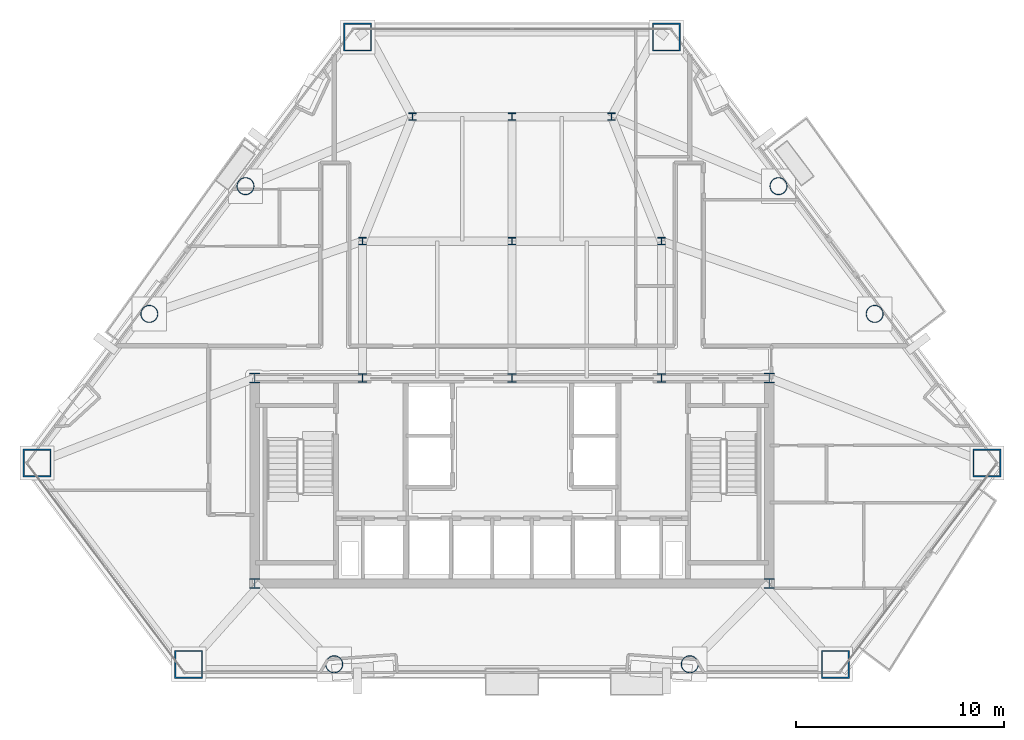
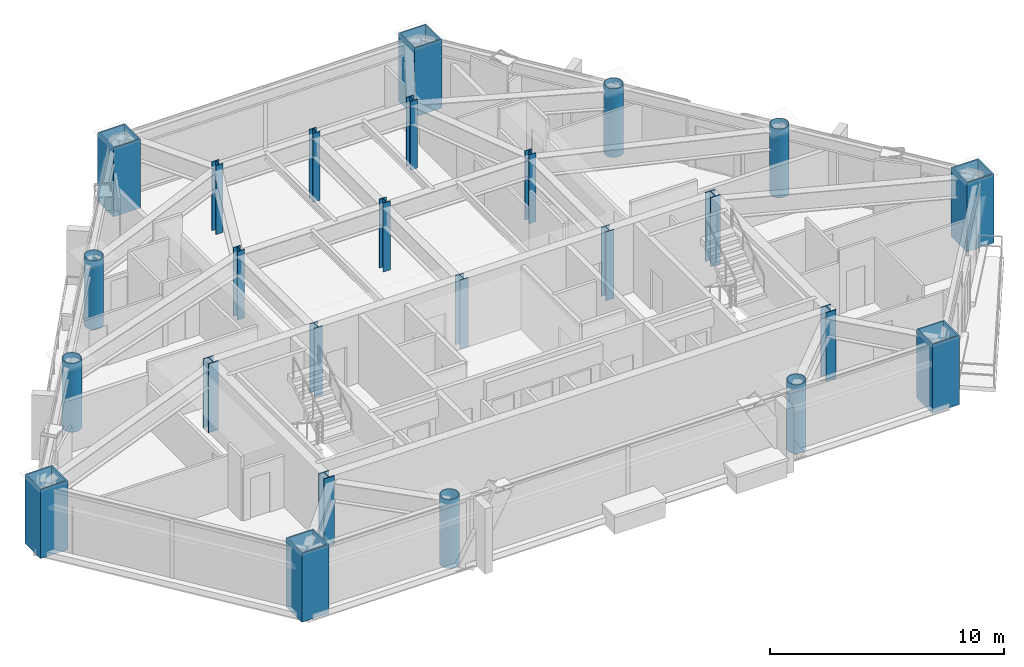
# One storey, part 1 of 10: 25 columns.
"""IFC4 building model written with IfcOpenShell, lengths in metres."""

from ifc_helpers import new_model, si_unit, direction, frame, origin, origin_2d, place, context, subcontext, project, spatial, hollow_rectangle, hollow_circle, i_section, extrude, material, material_profile, profile_set, type_object, element, save


model = new_model("IFC4")

# Units and contexts
model_context = context("Model", 3, precision=1e-05, world=origin(), true_north=direction((0.0, 1.0)))
body_context = subcontext(model_context, "Body", "Model", "MODEL_VIEW")
ifc_project = project(units=[si_unit("LENGTHUNIT", "METRE"), si_unit("AREAUNIT", "SQUARE_METRE"), si_unit("VOLUMEUNIT", "CUBIC_METRE"), si_unit("PLANEANGLEUNIT", "RADIAN"), si_unit("MASSUNIT", "GRAM", prefix="KILO")], contexts=[model_context])

# Site, building, storey
site_placement = place(None, origin())
site = spatial("IfcSite", under=ifc_project, at=site_placement, CompositionType="ELEMENT")
building_placement = place(site_placement, origin())
building = spatial("IfcBuilding", under=site, at=building_placement, Name="Talgorran Terracotta Tower", CompositionType="ELEMENT")
storey_placement = place(building_placement, frame((0.0, 0.0, 64.800048828125)))
storey = spatial("IfcBuildingStorey", under=building, at=storey_placement, Name="L16", CompositionType="ELEMENT", Elevation=64.800048828125)

# Columns
ifc_material_1 = material(Name="Steel S355 (300PLUS)", Category="steel")
ifc_material_profile_1 = material_profile(ifc_material_1, i_section(OverallWidth=0.35009765625, OverallDepth=0.366943359375, WebThickness=0.02490234375, FlangeThickness=0.031982421875, at=origin_2d()), Name="350WC258")
ifc_profile_set_1 = profile_set([ifc_material_profile_1], Name="Steel S355 (300PLUS)")
column_type_1 = type_object("IfcColumnType", Name="COL_350WC258", PredefinedType="COLUMN", material=ifc_profile_set_1)
for number, where, z_axis, x_axis, name in (
    (1, (-7.199951171875, 2.39990234375, 0.0), (0.0, 0.0, 1.0), (1.0, 0.0, 0.0), "L16 Interior Gravity Column IC1"),
    (2, (0.0, 2.39990234375, 0.0), (0.0, 0.0, 1.0), (1.0, 0.0, 0.0), "L16 Interior Gravity Column IC2"),
    (3, (7.199951171875, 2.39990234375, 0.0), (0.0, 0.0, 1.0), (1.0, 0.0, 0.0), "L16 Interior Gravity Column IC3"),
    (4, (-4.800048828125, 8.39990234375, 0.0), (0.0, 0.0, 1.0), (1.0, 0.0, 0.0), "L16 Interior Gravity Column IC4"),
    (5, (0.0, 8.39990234375, 0.0), (0.0, 0.0, 1.0), (1.0, 0.0, 0.0), "L16 Interior Gravity Column IC5"),
    (6, (4.800048828125, 8.39990234375, 0.0), (0.0, 0.0, 1.0), (1.0, 0.0, 0.0), "L16 Interior Gravity Column IC6"),
):
    element("IfcColumn", number, at=place(storey_placement, frame(where, z_axis=z_axis, x_axis=x_axis)), inside=storey, type_object=column_type_1, Name=name, PredefinedType="COLUMN", context=body_context, shape_type="SweptSolid", body=[
        extrude(i_section(OverallWidth=0.35009765625, OverallDepth=0.366943359375, WebThickness=0.02490234375, FlangeThickness=0.031982421875, at=origin_2d()), origin(), (0.0, 0.0, 1.0), 3.599853515625),
    ])
ifc_material_profile_2 = material_profile(ifc_material_1, i_section(OverallWidth=0.5, OverallDepth=0.48193359375, WebThickness=0.0400390625, FlangeThickness=0.044921875, at=origin_2d()), Name="500WC440")
ifc_profile_set_2 = profile_set([ifc_material_profile_2], Name="Steel S355 (300PLUS)")
column_type_2 = type_object("IfcColumnType", Name="COL_500WC440", PredefinedType="COLUMN", material=ifc_profile_set_2)
for number, where, z_axis, x_axis, name in (
    (7, (-12.39990234375, -14.10009765625, 0.0), (0.0, 0.0, 1.0), (1.0, 0.0, 0.0), "L16 Core Boundary Column CC1"),
    (8, (12.39990234375, -14.10009765625, 0.0), (0.0, 0.0, 1.0), (1.0, 0.0, 0.0), "L16 Core Boundary Column CC2"),
    (9, (12.39990234375, -4.199951171875, 0.0), (0.0, 0.0, 1.0), (1.0, 0.0, 0.0), "L16 Core Boundary Column CC3"),
    (10, (-12.39990234375, -4.199951171875, 0.0), (0.0, 0.0, 1.0), (1.0, 0.0, 0.0), "L16 Core Boundary Column CC4"),
):
    element("IfcColumn", number, at=place(storey_placement, frame(where, z_axis=z_axis, x_axis=x_axis)), inside=storey, type_object=column_type_2, Name=name, PredefinedType="COLUMN", context=body_context, shape_type="SweptSolid", body=[
        extrude(i_section(OverallWidth=0.5, OverallDepth=0.48193359375, WebThickness=0.0400390625, FlangeThickness=0.044921875, at=origin_2d()), origin(), (0.0, 0.0, 1.0), 3.599853515625),
    ])
ifc_material_2 = material(Name="Steel Grade 350 (350L0)", Category="steel")
ifc_material_profile_3 = material_profile(ifc_material_2, hollow_rectangle(XDim=1.35009765625, YDim=1.35009765625, WallThickness=0.06494140625, at=origin_2d()), Name="CFT1350X1350X65")
ifc_profile_set_3 = profile_set([ifc_material_profile_3], Name="Steel Grade 350 (350L0)")
column_type_3 = type_object("IfcColumnType", Name="COL_CFT_1350", PredefinedType="COLUMN", material=ifc_profile_set_3)
for number, where, z_axis, x_axis, name in (
    (11, (-22.88525390625, -8.28662109375, 0.0), (0.0, 0.0, 1.0), (1.0, 0.0, 0.0), "L16 Corner CFT Mega-Column MC1"),
    (12, (-15.57958984375, -17.9912109375, 0.0), (0.0, 0.0, 1.0), (1.0, 0.0, 0.0), "L16 Corner CFT Mega-Column MC2"),
    (13, (15.57958984375, -17.9912109375, 0.0), (0.0, 0.0, 1.0), (1.0, 0.0, 0.0), "L16 Corner CFT Mega-Column MC3"),
    (14, (22.88525390625, -8.28662109375, 0.0), (0.0, 0.0, 1.0), (1.0, 0.0, 0.0), "L16 Corner CFT Mega-Column MC4"),
    (15, (7.437744140625, 12.2333984375, 0.0), (0.0, 0.0, 1.0), (1.0, 0.0, 0.0), "L16 Corner CFT Mega-Column MC5"),
    (16, (-7.437744140625, 12.2333984375, 0.0), (0.0, 0.0, 1.0), (1.0, 0.0, 0.0), "L16 Corner CFT Mega-Column MC6"),
):
    element("IfcColumn", number, at=place(storey_placement, frame(where, z_axis=z_axis, x_axis=x_axis)), inside=storey, type_object=column_type_3, Name=name, PredefinedType="COLUMN", context=body_context, shape_type="SweptSolid", body=[
        extrude(hollow_rectangle(XDim=1.35009765625, YDim=1.35009765625, WallThickness=0.06494140625, at=origin_2d()), origin(), (0.0, 0.0, 1.0), 3.599853515625),
    ])
ifc_material_profile_4 = material_profile(ifc_material_2, hollow_circle(Radius=0.425048828125, WallThickness=0.0380859375, at=origin_2d()), Name="CHS850X38")
ifc_profile_set_4 = profile_set([ifc_material_profile_4], Name="Steel Grade 350 (350L0)")
column_type_4 = type_object("IfcColumnType", Name="COL_CHS_850", PredefinedType="COLUMN", material=ifc_profile_set_4)
for number, where, z_axis, x_axis, name in (
    (17, (-8.56884765625, -17.9912109375, 0.0), (0.0, 0.0, 1.0), (1.0, 0.0, 0.0), "L16 Facet Perimeter Column FC1"),
    (18, (8.56884765625, -17.9912109375, 0.0), (0.0, 0.0, 1.0), (1.0, 0.0, 0.0), "L16 Facet Perimeter Column FC2"),
    (19, (17.478515625, -1.1044921875, 0.0), (0.0, 0.0, 1.0), (1.0, 0.0, 0.0), "L16 Facet Perimeter Column FC3"),
    (20, (12.844482421875, 5.05126953125, 0.0), (0.0, 0.0, 1.0), (1.0, 0.0, 0.0), "L16 Facet Perimeter Column FC4"),
    (21, (-12.844482421875, 5.05126953125, 0.0), (0.0, 0.0, 1.0), (1.0, 0.0, 0.0), "L16 Facet Perimeter Column FC5"),
    (22, (-17.478515625, -1.1044921875, 0.0), (0.0, 0.0, 1.0), (1.0, 0.0, 0.0), "L16 Facet Perimeter Column FC6"),
):
    element("IfcColumn", number, at=place(storey_placement, frame(where, z_axis=z_axis, x_axis=x_axis)), inside=storey, type_object=column_type_4, Name=name, PredefinedType="COLUMN", context=body_context, shape_type="SweptSolid", body=[
        extrude(hollow_circle(Radius=0.425048828125, WallThickness=0.0380859375, at=origin_2d()), origin(), (0.0, 0.0, 1.0), 3.599853515625),
    ])
ifc_material_profile_5 = material_profile(ifc_material_1, i_section(OverallWidth=0.405029296875, OverallDepth=0.4140625, WebThickness=0.02197265625, FlangeThickness=0.031982421875, at=origin_2d()), Name="400WC270")
ifc_profile_set_5 = profile_set([ifc_material_profile_5], Name="Steel S355 (300PLUS)")
column_type_5 = type_object("IfcColumnType", Name="COL_PIL_400WC270", PredefinedType="PILASTER", material=ifc_profile_set_5)
for number, where, z_axis, x_axis, name in (
    (23, (-7.199951171875, -4.199951171875, 0.0), (0.0, 0.0, 1.0), (1.0, 0.0, 0.0), "L16 Core Shear Pilaster CP1"),
    (24, (0.0, -4.199951171875, 0.0), (0.0, 0.0, 1.0), (1.0, 0.0, 0.0), "L16 Core Shear Pilaster CP2"),
    (25, (7.199951171875, -4.199951171875, 0.0), (0.0, 0.0, 1.0), (1.0, 0.0, 0.0), "L16 Core Shear Pilaster CP3"),
):
    element("IfcColumn", number, at=place(storey_placement, frame(where, z_axis=z_axis, x_axis=x_axis)), inside=storey, type_object=column_type_5, Name=name, PredefinedType="PILASTER", context=body_context, shape_type="SweptSolid", body=[
        extrude(i_section(OverallWidth=0.405029296875, OverallDepth=0.4140625, WebThickness=0.02197265625, FlangeThickness=0.031982421875, at=origin_2d()), origin(), (0.0, 0.0, 1.0), 3.599853515625),
    ])

save(model, "model.ifc")
